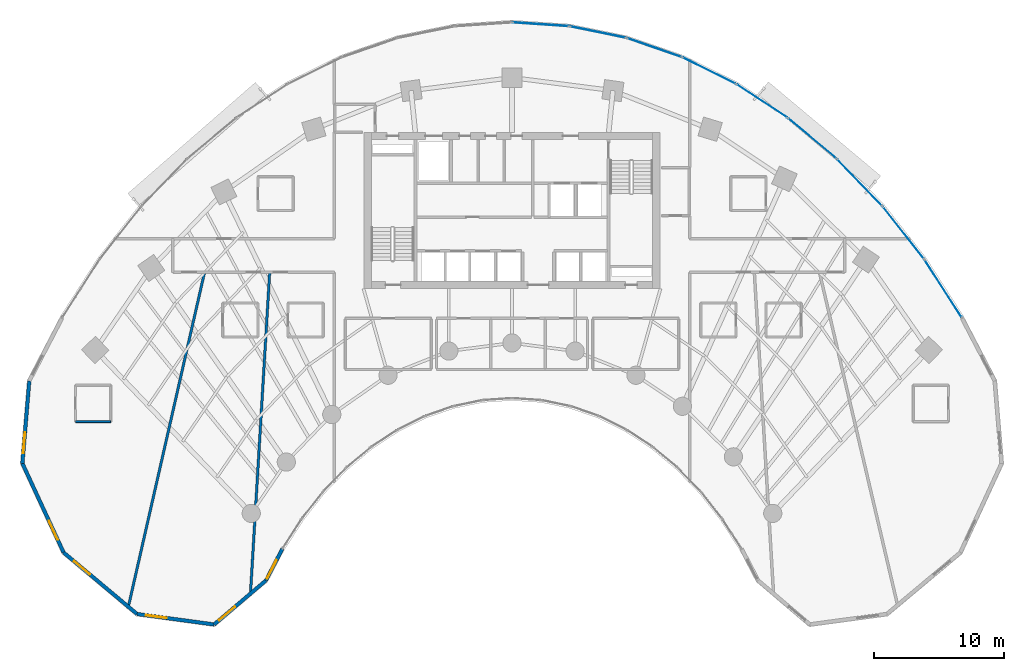
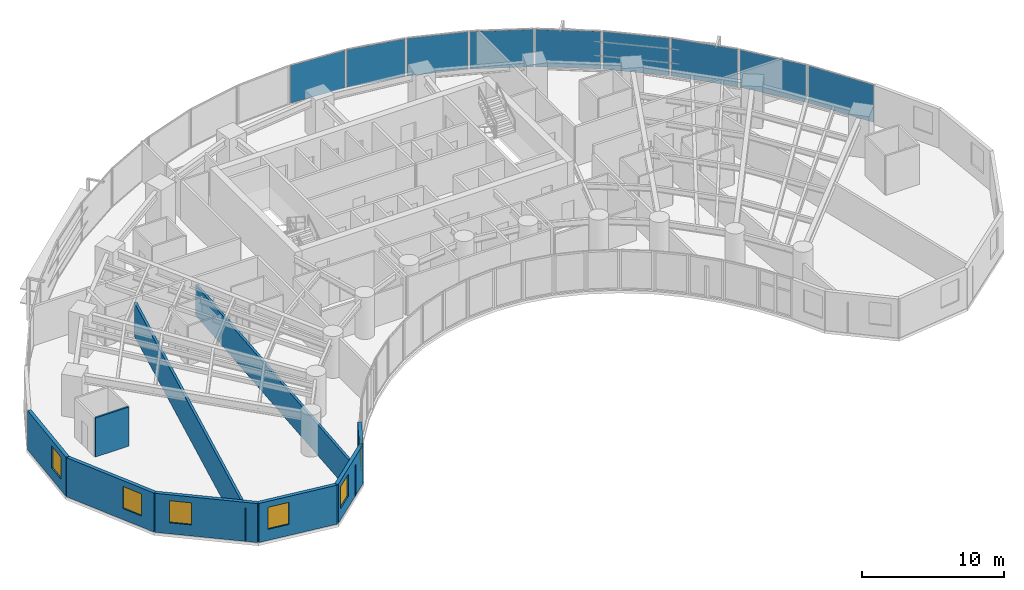
# One storey, part 10 of 17: 9 plates, 9 walls, 6 windows, 6 openings, 9 elements without a shape of their own.
"""IFC4 building model written with IfcOpenShell, lengths in metres."""

import ifcopenshell
import ifcopenshell.guid

model = None  # the IFC model being written
_history = None  # IfcOwnerHistory: only IFC2X3 demands one
_inside = {}  # id of a spatial element -> (the spatial element, [elements in it])
_under = {}  # id of a project, library or spatial element -> (it, [spatial elements below it])
_declared = {}  # id of a project -> (the project, [libraries it declares])
_typed = {}  # id of a type object -> (the type object, [elements of that type])
_made_of = {}  # id of a material, layer set ... -> (it, [elements and type objects made of it])


def new_model(schema):
    """Start an empty IFC model of exactly this schema.

    Asked for "IFC4X3", IfcOpenShell would pick the latest addendum, in which some entities
    have other attributes; the version numbers below select the first issue.
    IFC2X3 requires an IfcOwnerHistory on every rooted entity: one is made here for all.
    """
    global model, _history
    if schema == "IFC4X3":
        model = ifcopenshell.file(schema_version=(4, 3, 0, 0))
    else:
        model = ifcopenshell.file(schema=schema)
    _inside.clear()
    _under.clear()
    _declared.clear()
    _typed.clear()
    _made_of.clear()
    _history = None
    if model.schema == "IFC2X3":
        org = make("IfcOrganization", Name="unknown")
        user = make(
            "IfcPersonAndOrganization",
            ThePerson=make("IfcPerson", FamilyName="unknown"),
            TheOrganization=org,
        )
        app = make(
            "IfcApplication",
            ApplicationDeveloper=org,
            Version="unknown",
            ApplicationFullName="unknown",
            ApplicationIdentifier="unknown",
        )
        _history = make(
            "IfcOwnerHistory",
            OwningUser=user,
            OwningApplication=app,
            ChangeAction="ADDED",
            CreationDate=0,
        )
    return model


def make(cls, **values):
    """One entity of the class cls with the attributes given. An attribute that is None is left unset."""
    return model.create_entity(
        cls, **{name: value for name, value in values.items() if value is not None}
    )


def rooted(cls, **values):
    """An entity with a GlobalId (a new one), such as an element, a storey or a relation."""
    return make(cls, GlobalId=ifcopenshell.guid.new(), OwnerHistory=_history, **values)


def si_unit(unit_type, name, prefix=None):
    """IfcSIUnit, for example si_unit("LENGTHUNIT", "METRE", prefix="MILLI")."""
    return make("IfcSIUnit", UnitType=unit_type, Prefix=prefix, Name=name)


def assignment(units):
    """IfcUnitAssignment: the units of a project."""
    return None if units is None else make("IfcUnitAssignment", Units=units)


def point(xyz):
    """IfcCartesianPoint."""
    return None if xyz is None else make("IfcCartesianPoint", Coordinates=xyz)


def direction(xyz):
    """IfcDirection."""
    return None if xyz is None else make("IfcDirection", DirectionRatios=xyz)


def frame(location, z_axis=None, x_axis=None):
    """IfcAxis2Placement3D, a coordinate frame: its origin and axes. An axis left out is left unset."""
    return make(
        "IfcAxis2Placement3D",
        Location=point(location),
        Axis=direction(z_axis),
        RefDirection=direction(x_axis),
    )


def frame_2d(location, x_axis=None):
    """IfcAxis2Placement2D, a coordinate frame in the plane: its origin and x axis."""
    return make(
        "IfcAxis2Placement2D", Location=point(location), RefDirection=direction(x_axis)
    )


def origin():
    """The frame at (0, 0, 0) with its axes left unset."""
    return frame((0.0, 0.0, 0.0))


def origin_2d():
    """The frame at (0, 0) in the plane with its x axis left unset."""
    return frame_2d((0.0, 0.0))


def place(relative_to, where):
    """IfcLocalPlacement: puts the frame where relative to a parent placement (None: the world)."""
    return make(
        "IfcLocalPlacement", PlacementRelTo=relative_to, RelativePlacement=where
    )


def context(
    kind, dimensions, precision=None, world=None, true_north=None, identifier=None
):
    """IfcGeometricRepresentationContext, for example the 3D "Model" context."""
    return make(
        "IfcGeometricRepresentationContext",
        ContextIdentifier=identifier,
        ContextType=kind,
        CoordinateSpaceDimension=dimensions,
        Precision=precision,
        WorldCoordinateSystem=world,
        TrueNorth=true_north,
    )


def subcontext(parent, identifier, kind, view, scale=None):
    """IfcGeometricRepresentationSubContext, for example "Body" below "Model"."""
    return make(
        "IfcGeometricRepresentationSubContext",
        ContextIdentifier=identifier,
        ContextType=kind,
        ParentContext=parent,
        TargetScale=scale,
        TargetView=view,
    )


def project(units=None, contexts=None):
    """IfcProject with its units and contexts."""
    return rooted(
        "IfcProject",
        Name="project",
        RepresentationContexts=contexts,
        UnitsInContext=assignment(units),
    )


def spatial(cls, under=None, at=None, **own):
    """A site, building, storey or space (cls), placed at a placement, below another one or the project."""
    s = rooted(cls, ObjectPlacement=at, **own)
    if under is not None:
        _under.setdefault(under.id(), (under, []))[1].append(s)
    return s


def profile(cls, at=None, kind="AREA", **sizes):
    """A parametric profile (cls). Its sizes go by their IFC names, for example OverallWidth=200.0."""
    return make(cls, ProfileType=kind, Position=at, **sizes)


def rectangle(**sizes):
    """IfcRectangleProfileDef."""
    return profile("IfcRectangleProfileDef", **sizes)


def extrude(swept, where, along, depth):
    """IfcExtrudedAreaSolid: the profile swept, set in the frame where, extruded along a direction by depth."""
    return make(
        "IfcExtrudedAreaSolid",
        SweptArea=swept,
        Position=where,
        ExtrudedDirection=direction(along),
        Depth=depth,
    )


def shape(context_of_items, identifier, shape_type, items):
    """IfcShapeRepresentation: the items that make up one representation, for example the "Body"."""
    return make(
        "IfcShapeRepresentation",
        ContextOfItems=context_of_items,
        RepresentationIdentifier=identifier,
        RepresentationType=shape_type,
        Items=items,
    )


def source(mapping_origin, context_of_items, identifier, shape_type, items):
    """IfcRepresentationMap: a shape defined once, which mapped items show again and again."""
    return make(
        "IfcRepresentationMap",
        MappingOrigin=mapping_origin,
        MappedRepresentation=shape(context_of_items, identifier, shape_type, items),
    )


def transform(
    local_origin,
    x_axis=None,
    y_axis=None,
    z_axis=None,
    scale=None,
    scale2=None,
    scale3=None,
    uniform=True,
):
    """IfcCartesianTransformationOperator3D, or its non-uniform kind. x_axis, y_axis, z_axis: its Axis1, 2, 3."""
    if uniform:
        return make(
            "IfcCartesianTransformationOperator3D",
            Axis1=direction(x_axis),
            Axis2=direction(y_axis),
            LocalOrigin=point(local_origin),
            Scale=scale,
            Axis3=direction(z_axis),
        )
    return make(
        "IfcCartesianTransformationOperator3DnonUniform",
        Axis1=direction(x_axis),
        Axis2=direction(y_axis),
        LocalOrigin=point(local_origin),
        Scale=scale,
        Axis3=direction(z_axis),
        Scale2=scale2,
        Scale3=scale3,
    )


def mapped(mapping_source, mapping_target):
    """IfcMappedItem: shows the shape of a source again, moved by a transform."""
    return make(
        "IfcMappedItem", MappingSource=mapping_source, MappingTarget=mapping_target
    )


def material(Name=None, Category=None):
    """IfcMaterial."""
    return make("IfcMaterial", Name=Name, Category=Category)


def layer(
    of_material, thickness, ventilated=None, Name=None, Category=None, Priority=None
):
    """IfcMaterialLayer: one layer of a wall or slab, of a material (None: an air gap)."""
    return make(
        "IfcMaterialLayer",
        Material=of_material,
        LayerThickness=thickness,
        IsVentilated=ventilated,
        Name=Name,
        Category=Category,
        Priority=Priority,
    )


def layer_set(layers, Name=None):
    """IfcMaterialLayerSet."""
    return make("IfcMaterialLayerSet", MaterialLayers=layers, LayerSetName=Name)


def made_of(thing, what):
    """Note that an element or type object is made of a material, layer set ...; save() writes the relation."""
    if what is not None:
        _made_of.setdefault(what.id(), (what, []))[1].append(thing)
    return thing


def type_object(cls, material=None, **own):
    """A type object (cls), such as IfcWallType, which elements share."""
    return made_of(rooted(cls, **own), material)


def type_shapes(of_type, sources):
    """Give a type object the sources (RepresentationMaps) that its elements show as mapped items."""
    of_type.RepresentationMaps = sources


def element(
    cls,
    number,
    at=None,
    inside=None,
    cuts=None,
    type_object=None,
    material=None,
    context=None,
    identifier="Body",
    shape_type=None,
    held_by="IfcProductDefinitionShape",
    body=None,
    shapes=None,
    **own,
):
    """One element of the class cls, such as IfcWall. Its Tag is "e" and its number.

    at: its placement. inside: the storey or other place that contains it. cuts: it is an
    opening in that element (IfcRelVoidsElement). A single representation is given by context,
    identifier, shape_type and body (its items); several are given by shapes. held_by: the class
    of the entity that holds the representations. save() writes the other relations.
    """
    e = rooted(cls, Tag="e%d" % number, ObjectPlacement=at, **own)
    if body is not None:
        shapes = [shape(context, identifier, shape_type, body)]
    if shapes is not None:
        e.Representation = make(held_by, Representations=shapes)
    if inside is not None:
        _inside.setdefault(inside.id(), (inside, []))[1].append(e)
    if cuts is not None:
        rooted(
            "IfcRelVoidsElement", RelatingBuildingElement=cuts, RelatedOpeningElement=e
        )
    if type_object is not None:
        _typed.setdefault(type_object.id(), (type_object, []))[1].append(e)
    return made_of(e, material)


def fill(opening, filler):
    """IfcRelFillsElement: the door or window that sits in an opening."""
    return rooted(
        "IfcRelFillsElement",
        RelatingOpeningElement=opening,
        RelatedBuildingElement=filler,
    )


def aggregate(whole, parts):
    """IfcRelAggregates: a whole, such as a stair, and the parts it consists of."""
    return rooted("IfcRelAggregates", RelatingObject=whole, RelatedObjects=parts)


def save(model, path):
    """Write the relations noted so far, then the file.

    IfcRelAggregates (storeys below a building ...), IfcRelContainedInSpatialStructure (elements
    in a storey), IfcRelDefinesByType, IfcRelAssociatesMaterial and IfcRelDeclares: one each for
    every whole, place, type object, material and project.
    """
    for whole, parts in _under.values():
        aggregate(whole, parts)
    for where, things in _inside.values():
        rooted(
            "IfcRelContainedInSpatialStructure",
            RelatedElements=things,
            RelatingStructure=where,
        )
    for kind, things in _typed.values():
        rooted("IfcRelDefinesByType", RelatedObjects=things, RelatingType=kind)
    for what, things in _made_of.values():
        rooted("IfcRelAssociatesMaterial", RelatedObjects=things, RelatingMaterial=what)
    for by, libraries in _declared.values():
        rooted("IfcRelDeclares", RelatingContext=by, RelatedDefinitions=libraries)
    model.write(path)


model = new_model("IFC4")

# Units and contexts
model_context = context("Model", 3, precision=1e-05, world=origin(), true_north=direction((0.0, 1.0)))
body_context = subcontext(model_context, "Body", "Model", "MODEL_VIEW")
ifc_project = project(units=[si_unit("LENGTHUNIT", "METRE"), si_unit("AREAUNIT", "SQUARE_METRE"), si_unit("VOLUMEUNIT", "CUBIC_METRE"), si_unit("PLANEANGLEUNIT", "RADIAN"), si_unit("MASSUNIT", "GRAM", prefix="KILO")], contexts=[model_context])

# Site, building, storey
site_placement = place(None, origin())
site = spatial("IfcSite", under=ifc_project, at=site_placement, CompositionType="ELEMENT")
building_placement = place(site_placement, origin())
building = spatial("IfcBuilding", under=site, at=building_placement, Name="Breltana Convention Tower", CompositionType="ELEMENT")
storey_placement = place(building_placement, frame((0.0, 0.0, 78.60009765625)))
storey = spatial("IfcBuildingStorey", under=building, at=storey_placement, Name="L18", CompositionType="ELEMENT", Elevation=78.60009765625)

# Curtain wall, plate
ifc_material_1 = material(Name="Aluminium Anodised Bronze Frame", Category="aluminium")
ifc_layer_1 = layer(ifc_material_1, 0.199951171875, Name="Aluminium Anodised Bronze Frame")
ifc_layer_set_1 = layer_set([ifc_layer_1], Name="Aluminium Anodised Bronze Frame")
curtain_wall_type = type_object("IfcCurtainWallType", Name="CW-SYS-2", PredefinedType="NOTDEFINED", material=ifc_layer_set_1)
curtain_wall_1_placement = place(storey_placement, origin())
curtain_wall_1 = element("IfcCurtainWall", 1, at=curtain_wall_1_placement, inside=storey, type_object=curtain_wall_type, Name="L18 outer double-skin inner glazing 17", PredefinedType="NOTDEFINED")
ifc_material_2 = material(Name="Glass Low-E Double Glazing", Category="glass")
ifc_layer_2 = layer(ifc_material_2, 0.031982421875, Name="Glass Low-E Double Glazing")
ifc_layer_set_2 = layer_set([ifc_layer_2], Name="Glass Low-E Double Glazing")
plate_type = type_object("IfcPlateType", Name="CWP-IGU-32", PredefinedType="CURTAIN_PANEL", material=ifc_layer_set_2)
shared_shape_1 = source(origin(), body_context, "Body", "SweptSolid", [
    extrude(rectangle(XDim=5.0546875, YDim=0.031982421875, at=origin_2d()), origin(), (0.0, 0.0, 1.0), 3.219970703125),
])
plate_1_placement = place(storey_placement, frame((78.038818359375, 64.504638671875, 0.06982421875), z_axis=(0.0, 0.0, 1.0), x_axis=(0.618153917633, -0.786057080698, 0.0)))
plate_1 = element("IfcPlate", 2, at=plate_1_placement, type_object=plate_type, Name="CW-02 panel 1.1", PredefinedType="CURTAIN_PANEL", context=body_context, shape_type="MappedRepresentation", body=[
    mapped(shared_shape_1, transform((0.0, 0.0, 0.0), scale=1.0)),
])
aggregate(curtain_wall_1, [plate_1])

curtain_wall_2_placement = place(storey_placement, origin())
curtain_wall_2 = element("IfcCurtainWall", 3, at=curtain_wall_2_placement, inside=storey, type_object=curtain_wall_type, Name="L18 outer double-skin inner glazing 16", PredefinedType="NOTDEFINED")
shared_shape_2 = source(origin(), body_context, "Body", "SweptSolid", [
    extrude(rectangle(XDim=4.901123046875, YDim=0.031982421875, at=origin_2d()), origin(), (0.0, 0.0, 1.0), 3.219970703125),
])
plate_2_placement = place(storey_placement, frame((74.682373046875, 68.359619140625, 0.06982421875), z_axis=(0.0, 0.0, 1.0), x_axis=(0.694610090106, -0.719386421003, 0.0)))
plate_2 = element("IfcPlate", 4, at=plate_2_placement, type_object=plate_type, Name="CW-02 panel 1.1", PredefinedType="CURTAIN_PANEL", context=body_context, shape_type="MappedRepresentation", body=[
    mapped(shared_shape_2, transform((0.0, 0.0, 0.0), scale=1.0)),
])
aggregate(curtain_wall_2, [plate_2])

curtain_wall_3_placement = place(storey_placement, origin())
curtain_wall_3 = element("IfcCurtainWall", 5, at=curtain_wall_3_placement, inside=storey, type_object=curtain_wall_type, Name="L18 outer double-skin inner glazing 15", PredefinedType="NOTDEFINED")
shared_shape_3 = source(origin(), body_context, "Body", "SweptSolid", [
    extrude(rectangle(XDim=4.7509765625, YDim=0.031982421875, at=origin_2d()), origin(), (0.0, 0.0, 1.0), 3.219970703125),
])
plate_3_placement = place(storey_placement, frame((71.0537109375, 71.7392578125, 0.06982421875), z_axis=(0.0, 0.0, 1.0), x_axis=(0.767941326958, -0.640520193554, 0.0)))
plate_3 = element("IfcPlate", 6, at=plate_3_placement, type_object=plate_type, Name="CW-02 panel 1.1", PredefinedType="CURTAIN_PANEL", context=body_context, shape_type="MappedRepresentation", body=[
    mapped(shared_shape_3, transform((0.0, 0.0, 0.0), scale=1.0)),
])
aggregate(curtain_wall_3, [plate_3])

curtain_wall_4_placement = place(storey_placement, origin())
curtain_wall_4 = element("IfcCurtainWall", 7, at=curtain_wall_4_placement, inside=storey, type_object=curtain_wall_type, Name="L18 outer double-skin inner glazing 14", PredefinedType="NOTDEFINED")
shared_shape_4 = source(origin(), body_context, "Body", "SweptSolid", [
    extrude(rectangle(XDim=4.610595703125, YDim=0.031982421875, at=origin_2d()), origin(), (0.0, 0.0, 1.0), 3.219970703125),
])
plate_4_placement = place(storey_placement, frame((67.18994140625, 74.609130859375, 0.06982421875), z_axis=(0.0, 0.0, 1.0), x_axis=(0.83596401875, -0.548784255746, 0.0)))
plate_4 = element("IfcPlate", 8, at=plate_4_placement, type_object=plate_type, Name="CW-02 panel 1.1", PredefinedType="CURTAIN_PANEL", context=body_context, shape_type="MappedRepresentation", body=[
    mapped(shared_shape_4, transform((0.0, 0.0, 0.0), scale=1.0)),
])
aggregate(curtain_wall_4, [plate_4])

curtain_wall_5_placement = place(storey_placement, origin())
curtain_wall_5 = element("IfcCurtainWall", 9, at=curtain_wall_5_placement, inside=storey, type_object=curtain_wall_type, Name="L18 outer double-skin inner glazing 13", PredefinedType="NOTDEFINED")
shared_shape_5 = source(origin(), body_context, "Body", "SweptSolid", [
    extrude(rectangle(XDim=4.487548828125, YDim=0.031982421875, at=origin_2d()), origin(), (0.0, 0.0, 1.0), 3.219970703125),
])
plate_5_placement = place(storey_placement, frame((63.13134765625, 76.940185546875, 0.06982421875), z_axis=(0.0, 0.0, 1.0), x_axis=(0.895973407804, -0.444107703726, 0.0)))
plate_5 = element("IfcPlate", 10, at=plate_5_placement, type_object=plate_type, Name="CW-02 panel 1.1", PredefinedType="CURTAIN_PANEL", context=body_context, shape_type="MappedRepresentation", body=[
    mapped(shared_shape_5, transform((0.0, 0.0, 0.0), scale=1.0)),
])
aggregate(curtain_wall_5, [plate_5])

curtain_wall_6_placement = place(storey_placement, origin())
curtain_wall_6 = element("IfcCurtainWall", 11, at=curtain_wall_6_placement, inside=storey, type_object=curtain_wall_type, Name="L18 outer double-skin inner glazing 12", PredefinedType="NOTDEFINED")
shared_shape_6 = source(origin(), body_context, "Body", "SweptSolid", [
    extrude(rectangle(XDim=4.388427734375, YDim=0.031982421875, at=origin_2d()), origin(), (0.0, 0.0, 1.0), 3.219970703125),
])
plate_6_placement = place(storey_placement, frame((58.9189453125, 78.709228515625, 0.06982421875), z_axis=(0.0, 0.0, 1.0), x_axis=(0.944876012163, -0.32742834581, 0.0)))
plate_6 = element("IfcPlate", 12, at=plate_6_placement, type_object=plate_type, Name="CW-02 panel 1.1", PredefinedType="CURTAIN_PANEL", context=body_context, shape_type="MappedRepresentation", body=[
    mapped(shared_shape_6, transform((0.0, 0.0, 0.0), scale=1.0)),
])
aggregate(curtain_wall_6, [plate_6])

curtain_wall_7_placement = place(storey_placement, origin())
curtain_wall_7 = element("IfcCurtainWall", 13, at=curtain_wall_7_placement, inside=storey, type_object=curtain_wall_type, Name="L18 outer double-skin inner glazing 11", PredefinedType="NOTDEFINED")
shared_shape_7 = source(origin(), body_context, "Body", "SweptSolid", [
    extrude(rectangle(XDim=4.318359375, YDim=0.031982421875, at=origin_2d()), origin(), (0.0, 0.0, 1.0), 3.219970703125),
])
plate_7_placement = place(storey_placement, frame((54.595703125, 79.898193359375, 0.06982421875), z_axis=(0.0, 0.0, 1.0), x_axis=(0.979614925743, -0.200884537139, 0.0)))
plate_7 = element("IfcPlate", 14, at=plate_7_placement, type_object=plate_type, Name="CW-02 panel 1.1", PredefinedType="CURTAIN_PANEL", context=body_context, shape_type="MappedRepresentation", body=[
    mapped(shared_shape_7, transform((0.0, 0.0, 0.0), scale=1.0)),
])
aggregate(curtain_wall_7, [plate_7])

curtain_wall_8_placement = place(storey_placement, origin())
curtain_wall_8 = element("IfcCurtainWall", 15, at=curtain_wall_8_placement, inside=storey, type_object=curtain_wall_type, Name="L18 outer double-skin inner glazing 10", PredefinedType="NOTDEFINED")
shared_shape_8 = source(origin(), body_context, "Body", "SweptSolid", [
    extrude(rectangle(XDim=4.2822265625, YDim=0.031982421875, at=origin_2d()), origin(), (0.0, 0.0, 1.0), 3.219970703125),
])
plate_8_placement = place(storey_placement, frame((50.2060546875, 80.495849609375, 0.06982421875), z_axis=(0.0, 0.0, 1.0), x_axis=(0.997703982282, -0.067725650529, 0.0)))
plate_8 = element("IfcPlate", 16, at=plate_8_placement, type_object=plate_type, Name="CW-02 panel 1.1", PredefinedType="CURTAIN_PANEL", context=body_context, shape_type="MappedRepresentation", body=[
    mapped(shared_shape_8, transform((0.0, 0.0, 0.0), scale=1.0)),
])
aggregate(curtain_wall_8, [plate_8])

curtain_wall_9_placement = place(storey_placement, origin())
curtain_wall_9 = element("IfcCurtainWall", 17, at=curtain_wall_9_placement, inside=storey, type_object=curtain_wall_type, Name="L18 outer double-skin inner glazing 18", PredefinedType="NOTDEFINED")
shared_shape_9 = source(origin(), body_context, "Body", "SweptSolid", [
    extrude(rectangle(XDim=5.20556640625, YDim=0.031982421875, at=origin_2d()), origin(), (0.0, 0.0, 1.0), 3.219970703125),
])
plate_9_placement = place(storey_placement, frame((81.088134765625, 60.2138671875, 0.06982421875), z_axis=(0.0, 0.0, 1.0), x_axis=(0.540180724109, -0.841549039154, 0.0)))
plate_9 = element("IfcPlate", 18, at=plate_9_placement, type_object=plate_type, Name="CW-02 panel 1.1", PredefinedType="CURTAIN_PANEL", context=body_context, shape_type="MappedRepresentation", body=[
    mapped(shared_shape_9, transform((0.0, 0.0, 0.0), scale=1.0)),
])
aggregate(curtain_wall_9, [plate_9])

# Wall, opening, window
ifc_material_3 = material(Name="Limestone Buff Insulated Wall", Category="masonry")
ifc_layer_3 = layer(ifc_material_3, 0.280029296875, Name="Limestone Buff Insulated Wall")
ifc_layer_set_3 = layer_set([ifc_layer_3], Name="Limestone Buff Insulated Wall")
wall_type_1 = type_object("IfcWallType", Name="WL-EXT-NOSE-280", PredefinedType="SOLIDWALL", material=ifc_layer_set_3)
shared_shape_10 = source(origin(), body_context, "Body", "SweptSolid", [
    extrude(rectangle(XDim=6.3525390625, YDim=0.280029296875, at=frame_2d((3.17626953125, 0.0))), origin(), (0.0, 0.0, 1.0), 3.35986328125),
])
wall_1_placement = place(storey_placement, frame((10.417724609375, 46.79150390625, 0.0), z_axis=(0.0, 0.0, 1.0), x_axis=(0.083319001377, 0.996522926986, 0.0)))
wall_1 = element("IfcWall", 19, at=wall_1_placement, inside=storey, type_object=wall_type_1, Name="L18 curved limestone nose wall W6", PredefinedType="SOLIDWALL", context=body_context, shape_type="MappedRepresentation", body=[
    mapped(shared_shape_10, transform((0.0, 0.0, 0.0), scale=1.0)),
])
opening_1_placement = place(wall_1_placement, frame((0.7880859375, 0.0, 0.949951171875)))
opening_1 = element("IfcOpeningElement", 20, at=opening_1_placement, cuts=wall_1, Name="Opening W-04", PredefinedType="OPENING", context=body_context, shape_type="SweptSolid", body=[
    extrude(rectangle(XDim=1.60009765625, YDim=1.89990234375, at=frame_2d((0.800048828125, 0.949951171875))), frame((0.0, 0.14990234375, 0.0), z_axis=(0.0, -1.0, 0.0), x_axis=(1.0, 0.0, 0.0)), (0.0, 0.0, 1.0), 0.300048828125),
])
ifc_material_4 = material(Name="Glass Low-E Insulated Window", Category="glass")
window_type = type_object("IfcWindowType", Name="WN-NOSE-1600X1900", PartitioningType="SINGLE_PANEL", PredefinedType="WINDOW", material=ifc_material_4)
shared_shape_11 = source(origin(), body_context, "Body", "SweptSolid", [
    extrude(rectangle(XDim=1.60009765625, YDim=1.89990234375, at=frame_2d((0.800048828125, 0.949951171875))), frame((0.0, 0.030029296875, 0.0), z_axis=(0.0, -1.0, 0.0), x_axis=(1.0, 0.0, 0.0)), (0.0, 0.0, 1.0), 0.06005859375),
])
type_shapes(window_type, [shared_shape_11])
window_1_placement = place(opening_1_placement, origin())
window_1 = element("IfcWindow", 21, at=window_1_placement, inside=storey, type_object=window_type, Name="L18 nose window W6", OverallHeight=1.89990234375, OverallWidth=1.60009765625, PartitioningType="SINGLE_PANEL", PredefinedType="WINDOW", context=body_context, shape_type="MappedRepresentation", body=[
    mapped(shared_shape_11, transform((0.0, 0.0, 0.0), scale=1.0)),
])
fill(opening_1, window_1)

shared_shape_12 = source(origin(), body_context, "Body", "SweptSolid", [
    extrude(rectangle(XDim=7.536376953125, YDim=0.280029296875, at=frame_2d((3.76806640625, 0.0))), origin(), (0.0, 0.0, 1.0), 3.35986328125),
])
wall_2_placement = place(storey_placement, frame((13.580322265625, 39.950927734375, 0.0), z_axis=(0.0, 0.0, 1.0), x_axis=(-0.41964973873, 0.907686122393, 0.0)))
wall_2 = element("IfcWall", 22, at=wall_2_placement, inside=storey, type_object=wall_type_1, Name="L18 curved limestone nose wall W5", PredefinedType="SOLIDWALL", context=body_context, shape_type="MappedRepresentation", body=[
    mapped(shared_shape_12, transform((0.0, 0.0, 0.0), scale=1.0)),
])
opening_2_placement = place(wall_2_placement, frame((1.083984375, 0.0, 0.949951171875)))
opening_2 = element("IfcOpeningElement", 23, at=opening_2_placement, cuts=wall_2, Name="Opening W-04", PredefinedType="OPENING", context=body_context, shape_type="SweptSolid", body=[
    extrude(rectangle(XDim=1.60009765625, YDim=1.89990234375, at=frame_2d((0.800048828125, 0.949951171875))), frame((0.0, 0.14990234375, 0.0), z_axis=(0.0, -1.0, 0.0), x_axis=(1.0, 0.0, 0.0)), (0.0, 0.0, 1.0), 0.300048828125),
])
window_2_placement = place(opening_2_placement, origin())
window_2 = element("IfcWindow", 24, at=window_2_placement, inside=storey, type_object=window_type, Name="L18 nose window W5", OverallHeight=1.89990234375, OverallWidth=1.60009765625, PartitioningType="SINGLE_PANEL", PredefinedType="WINDOW", context=body_context, shape_type="MappedRepresentation", body=[
    mapped(shared_shape_11, transform((0.0, 0.0, 0.0), scale=1.0)),
])
fill(opening_2, window_2)

shared_shape_13 = source(origin(), body_context, "Body", "SweptSolid", [
    extrude(rectangle(XDim=7.35888671875, YDim=0.280029296875, at=frame_2d((3.679443359375, 0.0))), origin(), (0.0, 0.0, 1.0), 3.35986328125),
])
wall_3_placement = place(storey_placement, frame((19.22265625, 35.226806640625, 0.0), z_axis=(0.0, 0.0, 1.0), x_axis=(-0.766737165543, 0.641961150675, 0.0)))
wall_3 = element("IfcWall", 25, at=wall_3_placement, inside=storey, type_object=wall_type_1, Name="L18 curved limestone nose wall W4", PredefinedType="SOLIDWALL", context=body_context, shape_type="MappedRepresentation", body=[
    mapped(shared_shape_13, transform((0.0, 0.0, 0.0), scale=1.0)),
])
opening_3_placement = place(wall_3_placement, frame((4.71923828125, 0.0, 0.949951171875)))
opening_3 = element("IfcOpeningElement", 26, at=opening_3_placement, cuts=wall_3, Name="Opening W-04", PredefinedType="OPENING", context=body_context, shape_type="SweptSolid", body=[
    extrude(rectangle(XDim=1.60009765625, YDim=1.89990234375, at=frame_2d((0.800048828125, 0.949951171875))), frame((0.0, 0.14990234375, 0.0), z_axis=(0.0, -1.0, 0.0), x_axis=(1.0, 0.0, 0.0)), (0.0, 0.0, 1.0), 0.300048828125),
])
window_3_placement = place(opening_3_placement, origin())
window_3 = element("IfcWindow", 27, at=window_3_placement, inside=storey, type_object=window_type, Name="L18 nose window W4", OverallHeight=1.89990234375, OverallWidth=1.60009765625, PartitioningType="SINGLE_PANEL", PredefinedType="WINDOW", context=body_context, shape_type="MappedRepresentation", body=[
    mapped(shared_shape_11, transform((0.0, 0.0, 0.0), scale=1.0)),
])
fill(opening_3, window_3)

shared_shape_14 = source(origin(), body_context, "Body", "SweptSolid", [
    extrude(rectangle(XDim=5.96728515625, YDim=0.280029296875, at=frame_2d((2.983642578125, 0.0))), origin(), (0.0, 0.0, 1.0), 3.35986328125),
])
wall_4_placement = place(storey_placement, frame((25.1357421875, 34.4248046875, 0.0), z_axis=(0.0, 0.0, 1.0), x_axis=(-0.990927009341, 0.134401124099, 0.0)))
wall_4 = element("IfcWall", 28, at=wall_4_placement, inside=storey, type_object=wall_type_1, Name="L18 curved limestone nose wall W3", PredefinedType="SOLIDWALL", context=body_context, shape_type="MappedRepresentation", body=[
    mapped(shared_shape_14, transform((0.0, 0.0, 0.0), scale=1.0)),
])
opening_4_placement = place(wall_4_placement, frame((3.675537109375, 0.0, 0.949951171875)))
opening_4 = element("IfcOpeningElement", 29, at=opening_4_placement, cuts=wall_4, Name="Opening W-04", PredefinedType="OPENING", context=body_context, shape_type="SweptSolid", body=[
    extrude(rectangle(XDim=1.60009765625, YDim=1.89990234375, at=frame_2d((0.800048828125, 0.949951171875))), frame((0.0, 0.14990234375, 0.0), z_axis=(0.0, -1.0, 0.0), x_axis=(1.0, 0.0, 0.0)), (0.0, 0.0, 1.0), 0.300048828125),
])
window_4_placement = place(opening_4_placement, origin())
window_4 = element("IfcWindow", 30, at=window_4_placement, inside=storey, type_object=window_type, Name="L18 nose window W3", OverallHeight=1.89990234375, OverallWidth=1.60009765625, PartitioningType="SINGLE_PANEL", PredefinedType="WINDOW", context=body_context, shape_type="MappedRepresentation", body=[
    mapped(shared_shape_11, transform((0.0, 0.0, 0.0), scale=1.0)),
])
fill(opening_4, window_4)

shared_shape_15 = source(origin(), body_context, "Body", "SweptSolid", [
    extrude(rectangle(XDim=5.222412109375, YDim=0.280029296875, at=frame_2d((2.611328125, 0.0))), origin(), (0.0, 0.0, 1.0), 3.35986328125),
])
wall_5_placement = place(storey_placement, frame((29.11474609375, 37.807373046875, 0.0), z_axis=(0.0, 0.0, 1.0), x_axis=(-0.761900099546, -0.647694556339, 0.0)))
wall_5 = element("IfcWall", 31, at=wall_5_placement, inside=storey, type_object=wall_type_1, Name="L18 curved limestone nose wall W2", PredefinedType="SOLIDWALL", context=body_context, shape_type="MappedRepresentation", body=[
    mapped(shared_shape_15, transform((0.0, 0.0, 0.0), scale=1.0)),
])
opening_5_placement = place(wall_5_placement, frame((3.11669921875, 0.0, 0.949951171875)))
opening_5 = element("IfcOpeningElement", 32, at=opening_5_placement, cuts=wall_5, Name="Opening W-04", PredefinedType="OPENING", context=body_context, shape_type="SweptSolid", body=[
    extrude(rectangle(XDim=1.60009765625, YDim=1.89990234375, at=frame_2d((0.800048828125, 0.949951171875))), frame((0.0, 0.14990234375, 0.0), z_axis=(0.0, -1.0, 0.0), x_axis=(1.0, 0.0, 0.0)), (0.0, 0.0, 1.0), 0.300048828125),
])
window_5_placement = place(opening_5_placement, origin())
window_5 = element("IfcWindow", 33, at=window_5_placement, inside=storey, type_object=window_type, Name="L18 nose window W2", OverallHeight=1.89990234375, OverallWidth=1.60009765625, PartitioningType="SINGLE_PANEL", PredefinedType="WINDOW", context=body_context, shape_type="MappedRepresentation", body=[
    mapped(shared_shape_11, transform((0.0, 0.0, 0.0), scale=1.0)),
])
fill(opening_5, window_5)

shared_shape_16 = source(origin(), body_context, "Body", "SweptSolid", [
    extrude(rectangle(XDim=2.7353515625, YDim=0.280029296875, at=frame_2d((1.36767578125, 0.0))), origin(), (0.0, 0.0, 1.0), 3.35986328125),
])
wall_6_placement = place(storey_placement, frame((30.3779296875, 40.233642578125, 0.0), z_axis=(0.0, 0.0, 1.0), x_axis=(-0.46179107292, -0.886988728774, 0.0)))
wall_6 = element("IfcWall", 34, at=wall_6_placement, inside=storey, type_object=wall_type_1, Name="L18 curved limestone nose wall W1", PredefinedType="SOLIDWALL", context=body_context, shape_type="MappedRepresentation", body=[
    mapped(shared_shape_16, transform((0.0, 0.0, 0.0), scale=1.0)),
])
opening_6_placement = place(wall_6_placement, frame((0.9755859375, 0.0, 0.949951171875)))
opening_6 = element("IfcOpeningElement", 35, at=opening_6_placement, cuts=wall_6, Name="Opening W-04", PredefinedType="OPENING", context=body_context, shape_type="SweptSolid", body=[
    extrude(rectangle(XDim=1.60009765625, YDim=1.89990234375, at=frame_2d((0.800048828125, 0.949951171875))), frame((0.0, 0.14990234375, 0.0), z_axis=(0.0, -1.0, 0.0), x_axis=(1.0, 0.0, 0.0)), (0.0, 0.0, 1.0), 0.300048828125),
])
window_6_placement = place(opening_6_placement, origin())
window_6 = element("IfcWindow", 36, at=window_6_placement, inside=storey, type_object=window_type, Name="L18 nose window W1", OverallHeight=1.89990234375, OverallWidth=1.60009765625, PartitioningType="SINGLE_PANEL", PredefinedType="WINDOW", context=body_context, shape_type="MappedRepresentation", body=[
    mapped(shared_shape_11, transform((0.0, 0.0, 0.0), scale=1.0)),
])
fill(opening_6, window_6)

# Walls
ifc_material_5 = material(Name="Gypsum Acoustic Hotel Wall")
ifc_layer_4 = layer(ifc_material_5, 0.195068359375, Name="Gypsum Acoustic Hotel Wall")
ifc_layer_set_4 = layer_set([ifc_layer_4], Name="Gypsum Acoustic Hotel Wall")
wall_type_2 = type_object("IfcWallType", Name="WL-HOTEL-200", PredefinedType="PARTITIONING", material=ifc_layer_set_4)
shared_shape_17 = source(origin(), body_context, "Body", "SweptSolid", [
    extrude(rectangle(XDim=26.4755859375, YDim=0.195068359375, at=frame_2d((13.23779296875, 0.0))), origin(), (0.0, 0.0, 1.0), 2.8798828125),
])
wall_7_placement = place(storey_placement, frame((18.51953125, 35.645751953125, 0.0), z_axis=(0.0, 0.0, 1.0), x_axis=(0.22210613157, 0.975022495289, 0.0)))
element("IfcWall", 37, at=wall_7_placement, inside=storey, type_object=wall_type_2, Name="L18 interior partition W-L18-PHWS-M1", PredefinedType="PARTITIONING", context=body_context, shape_type="MappedRepresentation", body=[
    mapped(shared_shape_17, transform((0.0, 0.0, 0.0), scale=1.0)),
])
shared_shape_18 = source(origin(), body_context, "Body", "SweptSolid", [
    extrude(rectangle(XDim=24.888671875, YDim=0.195068359375, at=frame_2d((12.4443359375, 0.0))), origin(), (0.0, 0.0, 1.0), 2.643798828125),
])
wall_8_placement = place(storey_placement, frame((27.913818359375, 36.61572265625, 0.0), z_axis=(0.0, 0.0, 1.0), x_axis=(0.059709317989, 0.998215807, 0.0)))
element("IfcWall", 38, at=wall_8_placement, inside=storey, type_object=wall_type_2, Name="L18 interior partition W-L18-PHWS-M2", PredefinedType="PARTITIONING", context=body_context, shape_type="MappedRepresentation", body=[
    mapped(shared_shape_18, transform((0.0, 0.0, 0.0), scale=1.0)),
])
ifc_material_6 = material(Name="Moisture-Resistant En-Suite Partition")
ifc_layer_5 = layer(ifc_material_6, 0.139892578125, Name="Moisture-Resistant En-Suite Partition")
ifc_layer_set_5 = layer_set([ifc_layer_5], Name="Moisture-Resistant En-Suite Partition")
wall_type_3 = type_object("IfcWallType", Name="WL-WET-150", PredefinedType="PARTITIONING", material=ifc_layer_set_5)
shared_shape_19 = source(origin(), body_context, "Body", "SweptSolid", [
    extrude(rectangle(XDim=2.699951171875, YDim=0.139892578125, at=frame_2d((1.35009765625, 0.0))), origin(), (0.0, 0.0, 1.0), 3.35986328125),
])
wall_9_placement = place(storey_placement, frame((14.5, 50.0, 0.0), z_axis=(0.0, 0.0, 1.0), x_axis=(1.0, 0.0, 0.0)))
element("IfcWall", 39, at=wall_9_placement, inside=storey, type_object=wall_type_3, Name="L18 interior partition W-L18-PHWS1E-S", PredefinedType="PARTITIONING", context=body_context, shape_type="MappedRepresentation", body=[
    mapped(shared_shape_19, transform((0.0, 0.0, 0.0), scale=1.0)),
])

save(model, "model.ifc")
